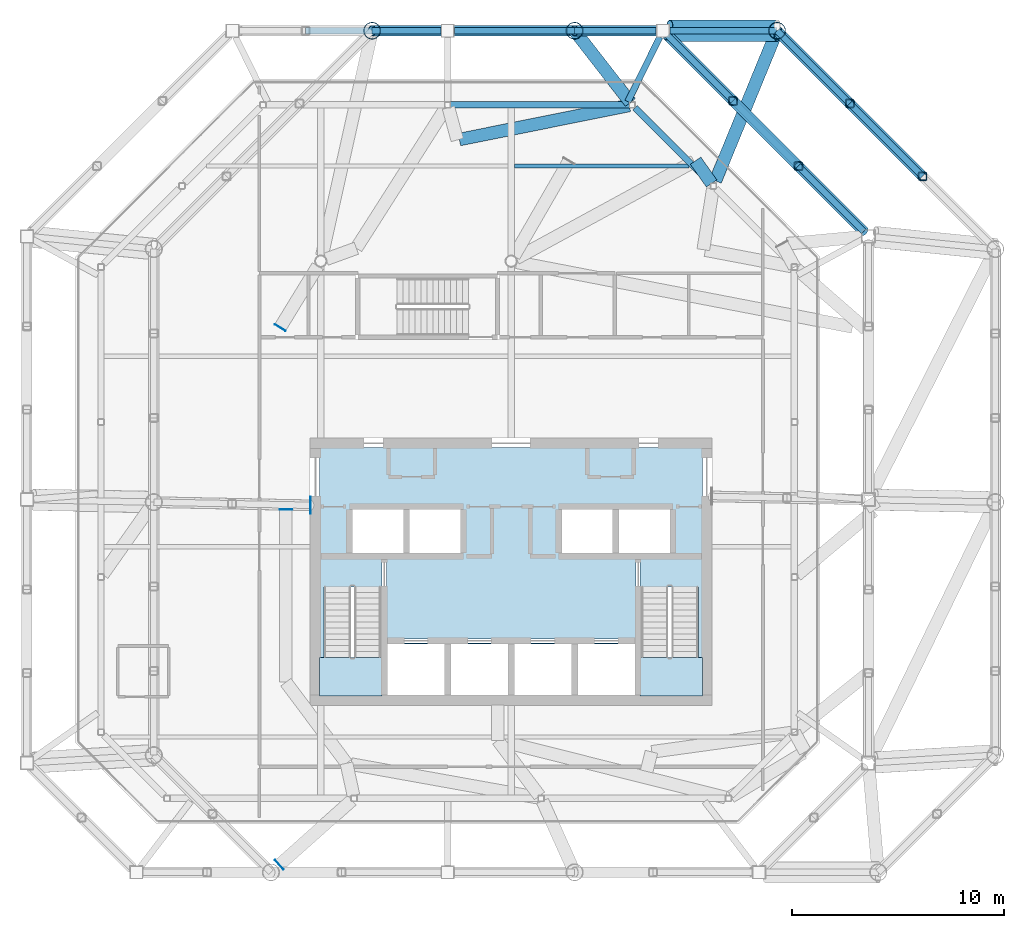
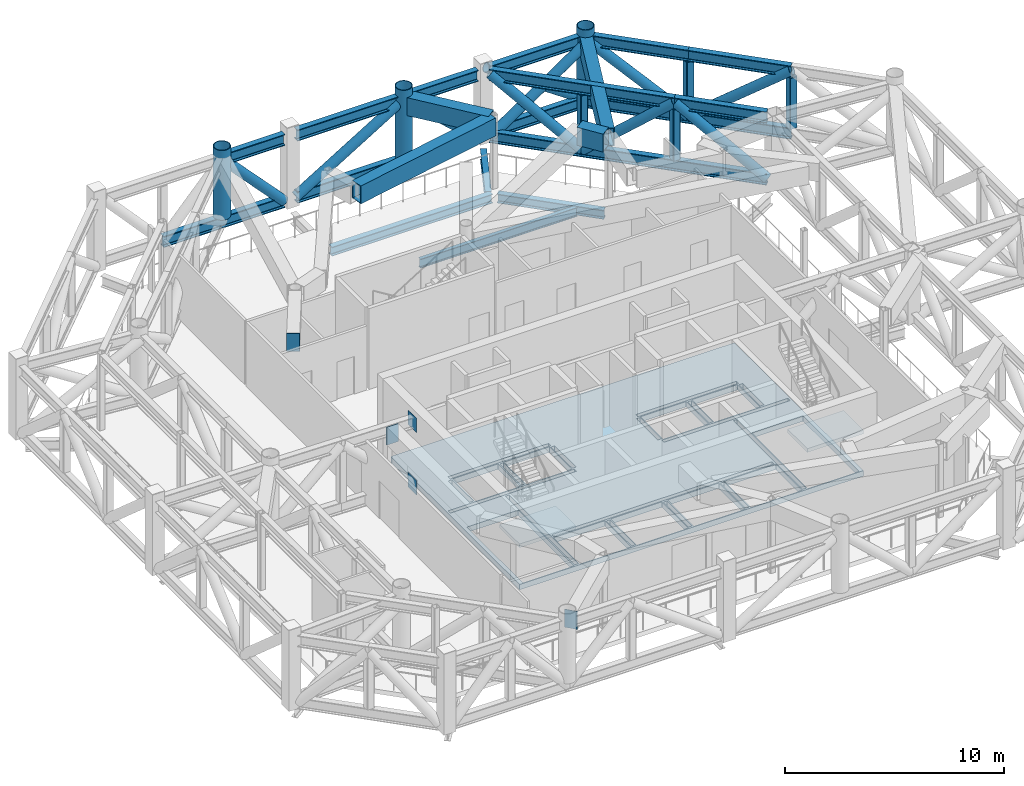
# One storey, part 6 of 14: 23 beams, 17 members, 5 plates, 3 slabs, 2 elements without a shape of their own.
"""IFC4 building model written with IfcOpenShell, lengths in metres."""

from ifc_helpers import new_model, si_unit, direction, frame, origin, origin_2d, place, context, subcontext, project, spatial, polyline, rectangle, hollow_rectangle, hollow_circle, i_section, outline, extrude, material, layer, layer_set, material_profile, profile_set, type_object, element, aggregate, save


model = new_model("IFC4")

# Units and contexts
model_context = context("Model", 3, precision=1e-05, world=origin(), true_north=direction((0.0, 1.0)))
body_context = subcontext(model_context, "Body", "Model", "MODEL_VIEW")
ifc_project = project(units=[si_unit("LENGTHUNIT", "METRE"), si_unit("AREAUNIT", "SQUARE_METRE"), si_unit("VOLUMEUNIT", "CUBIC_METRE"), si_unit("PLANEANGLEUNIT", "RADIAN"), si_unit("MASSUNIT", "GRAM", prefix="KILO")], contexts=[model_context])

# Site, building, storey
site_placement = place(None, origin())
site = spatial("IfcSite", under=ifc_project, at=site_placement, CompositionType="ELEMENT")
building_placement = place(site_placement, origin())
building = spatial("IfcBuilding", under=site, at=building_placement, Name="Tskaro Facet Tower", CompositionType="ELEMENT")
storey_placement = place(building_placement, frame((0.0, 0.0, 255.0)))
storey = spatial("IfcBuildingStorey", under=building, at=storey_placement, Name="L67", CompositionType="ELEMENT", Elevation=255.0)

# Beams
ifc_material_1 = material(Name="Steel S355J2", Category="steel")
ifc_material_profile_1 = material_profile(ifc_material_1, hollow_rectangle(XDim=0.60009765625, YDim=1.0, WallThickness=0.0400390625, at=origin_2d()), Name="BOX 600x1000x40")
ifc_profile_set_1 = profile_set([ifc_material_profile_1], Name="Steel S355J2")
beam_type_1 = type_object("IfcBeamType", Name="BOX 600x1000x40 transfer girder", PredefinedType="BEAM", material=ifc_profile_set_1)
beam_1_placement = place(storey_placement, frame((8.719482421875, 13.750244140625, 3.580078125), z_axis=(0.575351108797, -0.817906535984, 0.0), x_axis=(0.817906535984, 0.575351108797, 0.0)))
element("IfcBeam", 1, at=beam_1_placement, inside=storey, type_object=beam_type_1, Name="BOX 600x1000x40 TG6-7", PredefinedType="BEAM", context=body_context, shape_type="SweptSolid", body=[
    extrude(hollow_rectangle(XDim=0.60009765625, YDim=1.0, WallThickness=0.0400390625, at=origin_2d()), origin(), (0.0, 0.0, 1.0), 1.317626953125),
])
beam_2_placement = place(storey_placement, frame((-2.449462890625, 14.750244140625, 3.580078125), z_axis=(0.980442976706, 0.196803377584, 0.0), x_axis=(-0.196803377584, 0.980442976706, 0.0)))
element("IfcBeam", 2, at=beam_2_placement, inside=storey, type_object=beam_type_1, Name="BOX 600x1000x40 TG6-12", PredefinedType="BEAM", context=body_context, shape_type="SweptSolid", body=[
    extrude(hollow_rectangle(XDim=0.60009765625, YDim=1.0, WallThickness=0.0400390625, at=origin_2d()), origin(), (0.0, 0.0, 1.0), 8.197509765625),
])
beam_3_placement = place(storey_placement, frame((3.0, 19.89306640625, 3.580078125), z_axis=(0.614086130442, -0.789239016014, 0.0), x_axis=(0.789239016014, 0.614086130442, 0.0)))
element("IfcBeam", 3, at=beam_3_placement, inside=storey, type_object=beam_type_1, Name="BOX 600x1000x40 TG6-24", PredefinedType="BEAM", context=body_context, shape_type="SweptSolid", body=[
    extrude(hollow_rectangle(XDim=0.60009765625, YDim=1.0, WallThickness=0.0400390625, at=origin_2d()), origin(), (0.0, 0.0, 1.0), 4.29736328125),
])
beam_4_placement = place(storey_placement, frame((12.572021484375, 19.89306640625, 3.580078125), z_axis=(-0.380083721997, -0.924952087555, 0.0), x_axis=(0.924952087555, -0.380083721997, 0.0)))
element("IfcBeam", 4, at=beam_4_placement, inside=storey, type_object=beam_type_1, Name="BOX 600x1000x40 TG6-33", PredefinedType="BEAM", context=body_context, shape_type="SweptSolid", body=[
    extrude(hollow_rectangle(XDim=0.60009765625, YDim=1.0, WallThickness=0.0400390625, at=origin_2d()), origin(), (0.0, 0.0, 1.0), 7.670166015625),
])

# Members
ifc_material_2 = material(Name="Steel S355J2H", Category="steel")
ifc_material_profile_2 = material_profile(ifc_material_2, hollow_circle(Radius=0.25390625, WallThickness=0.02490234375, at=origin_2d()), Name="CHS 508x25")
ifc_profile_set_2 = profile_set([ifc_material_profile_2], Name="Steel S355J2H")
member_type_1 = type_object("IfcMemberType", Name="CHS 508x25 belt diagonal", PredefinedType="BRACE", material=ifc_profile_set_2)
for number, where, z_axis, x_axis, name in (
    (5, (16.6630859375, 10.40576171875, 0.31005859375), (-0.554065320265, 0.554109158015, 0.621268590775), (-0.707134752736, -0.707078808531, 0.0), "CHS 508x25 BD5-061"),
    (6, (13.577392578125, 13.49169921875, 3.77001953125), (-0.554078778968, 0.554078778968, -0.6212836819), (-0.707106781187, -0.707106781187, 0.0), "CHS 508x25 BD5-062"),
    (7, (10.49169921875, 16.577392578125, 0.31005859375), (-0.554109158015, 0.554065320265, 0.621268590775), (-0.707078808531, -0.707134752736, 0.0), "CHS 508x25 BD5-063"),
):
    element("IfcMember", number, at=place(storey_placement, frame(where, z_axis=z_axis, x_axis=x_axis)), inside=storey, type_object=member_type_1, Name=name, PredefinedType="BRACE", context=body_context, shape_type="SweptSolid", body=[
        extrude(hollow_circle(Radius=0.25390625, WallThickness=0.02490234375, at=origin_2d()), origin(), (0.0, 0.0, 1.0), 5.569091796875),
    ])
member_1_placement = place(storey_placement, frame((6.85107421875, 19.89306640625, 0.31005859375), z_axis=(-0.743870708977, 0.0, 0.668323550629), x_axis=(0.0, -1.0, 0.0)))
element("IfcMember", 8, at=member_1_placement, inside=storey, type_object=member_type_1, Name="CHS 508x25 BD5-071", PredefinedType="BRACE", context=body_context, shape_type="SweptSolid", body=[
    extrude(hollow_circle(Radius=0.25390625, WallThickness=0.02490234375, at=origin_2d()), origin(), (0.0, 0.0, 1.0), 5.177001953125),
])
member_2_placement = place(storey_placement, frame((3.0, 19.89306640625, 3.77001953125), z_axis=(-0.853825244327, 0.0, -0.520559748875), x_axis=(0.0, -1.0, 0.0)))
element("IfcMember", 9, at=member_2_placement, inside=storey, type_object=member_type_1, Name="CHS 508x25 BD5-072", PredefinedType="BRACE", context=body_context, shape_type="SweptSolid", body=[
    extrude(hollow_circle(Radius=0.25390625, WallThickness=0.02490234375, at=origin_2d()), origin(), (0.0, 0.0, 1.0), 6.646728515625),
])
member_3_placement = place(storey_placement, frame((-3.324951171875, 19.89306640625, 0.31005859375), z_axis=(-0.684317571299, 0.0, 0.729184106801), x_axis=(0.0, -1.0, 0.0)))
element("IfcMember", 10, at=member_3_placement, inside=storey, type_object=member_type_1, Name="CHS 508x25 BD5-081", PredefinedType="BRACE", context=body_context, shape_type="SweptSolid", body=[
    extrude(hollow_circle(Radius=0.25390625, WallThickness=0.02490234375, at=origin_2d()), origin(), (0.0, 0.0, 1.0), 4.744873046875),
])
member_4_placement = place(storey_placement, frame((19.45263671875, 13.012451171875, 3.77001953125), z_axis=(-0.57624400681, 0.57624400681, -0.579556459053), x_axis=(-0.707106781187, -0.707106781187, 0.0)))
element("IfcMember", 11, at=member_4_placement, inside=storey, type_object=member_type_1, Name="CHS 508x25 TB5-06-D2", PredefinedType="BRACE", context=body_context, shape_type="SweptSolid", body=[
    extrude(hollow_circle(Radius=0.25390625, WallThickness=0.02490234375, at=origin_2d()), origin(), (0.0, 0.0, 1.0), 5.969970703125),
])
member_5_placement = place(storey_placement, frame((16.012451171875, 16.45263671875, 0.31005859375), z_axis=(-0.576257741707, 0.576257741707, 0.579529145294), x_axis=(-0.707106781187, -0.707106781187, 0.0)))
element("IfcMember", 12, at=member_5_placement, inside=storey, type_object=member_type_1, Name="CHS 508x25 TB5-06-D3", PredefinedType="BRACE", context=body_context, shape_type="SweptSolid", body=[
    extrude(hollow_circle(Radius=0.25390625, WallThickness=0.02490234375, at=origin_2d()), origin(), (0.0, 0.0, 1.0), 5.97021484375),
])
for number, where, z_axis, x_axis, name in (
    (13, (7.5009765625, 19.638916015625, 0.31005859375), (0.826043037192, 0.0, 0.563607044586), (0.0, 1.0, 0.0), "CHS 508x25 TL5-07A-D1"),
    (14, (7.5009765625, 20.14697265625, 3.77001953125), (0.826043037192, 0.0, -0.563607044586), (0.0, 1.0, 0.0), "CHS 508x25 TL5-07A-D2"),
):
    element("IfcMember", number, at=place(storey_placement, frame(where, z_axis=z_axis, x_axis=x_axis)), inside=storey, type_object=member_type_1, Name=name, PredefinedType="BRACE", context=body_context, shape_type="SweptSolid", body=[
        extrude(hollow_circle(Radius=0.25390625, WallThickness=0.02490234375, at=origin_2d()), origin(), (0.0, 0.0, 1.0), 6.138916015625),
    ])
ifc_material_profile_3 = material_profile(ifc_material_2, hollow_circle(Radius=0.406494140625, WallThickness=0.035888671875, at=origin_2d()), Name="CHS 812.8x36")
ifc_profile_set_3 = profile_set([ifc_material_profile_3], Name="Steel S355J2H")
member_type_2 = type_object("IfcMemberType", Name="CHS 812.8x36 transfer node post", PredefinedType="POST", material=ifc_profile_set_3)
for number, where, z_axis, x_axis, name in (
    (15, (12.572021484375, 19.89306640625, 0.6201171875), (0.0, 0.0, 1.0), (1.0, 0.0, 0.0), "CHS 812.8x36 TN5-07"),
    (16, (3.0, 19.89306640625, 0.6201171875), (0.0, 0.0, 1.0), (1.0, 0.0, 0.0), "CHS 812.8x36 TN5-08"),
    (17, (-6.572021484375, 19.89306640625, 0.6201171875), (0.0, 0.0, 1.0), (1.0, 0.0, 0.0), "CHS 812.8x36 TN5-09"),
):
    element("IfcMember", number, at=place(storey_placement, frame(where, z_axis=z_axis, x_axis=x_axis)), inside=storey, type_object=member_type_2, Name=name, PredefinedType="POST", context=body_context, shape_type="SweptSolid", body=[
        extrude(hollow_circle(Radius=0.406494140625, WallThickness=0.035888671875, at=origin_2d()), origin(), (0.0, 0.0, 1.0), 3.8798828125),
    ])

# Beams
ifc_material_profile_4 = material_profile(ifc_material_1, i_section(OverallWidth=0.300048828125, OverallDepth=0.5, WebThickness=0.014404296875, FlangeThickness=0.028076171875, FilletRadius=0.027099609375, at=origin_2d()), Name="HE 500 B")
ifc_profile_set_4 = profile_set([ifc_material_profile_4], Name="Steel S355J2")
beam_type_2 = type_object("IfcBeamType", Name="HE 500 B ring beam", PredefinedType="BEAM", material=ifc_profile_set_4)
beam_5_placement = place(storey_placement, frame((9.422119140625, 12.69384765625, -0.5), z_axis=(-0.707106781187, 0.707106781187, 0.0), x_axis=(-0.707106781187, -0.707106781187, 0.0)))
element("IfcBeam", 18, at=beam_5_placement, inside=storey, type_object=beam_type_2, Name="HE 500 B EB9-5", PredefinedType="BEAM", context=body_context, shape_type="SweptSolid", body=[
    extrude(i_section(OverallWidth=0.300048828125, OverallDepth=0.5, WebThickness=0.014404296875, FlangeThickness=0.028076171875, FilletRadius=0.027099609375, at=origin_2d()), origin(), (0.0, 0.0, 1.0), 5.036376953125),
])
beam_6_placement = place(storey_placement, frame((5.594970703125, 16.39111328125, -0.5), z_axis=(-1.0, 0.0, 0.0), x_axis=(0.0, -1.0, 0.0)))
element("IfcBeam", 19, at=beam_6_placement, inside=storey, type_object=beam_type_2, Name="HE 500 B EB10-5", PredefinedType="BEAM", context=body_context, shape_type="SweptSolid", body=[
    extrude(i_section(OverallWidth=0.300048828125, OverallDepth=0.5, WebThickness=0.014404296875, FlangeThickness=0.028076171875, FilletRadius=0.027099609375, at=origin_2d()), origin(), (0.0, 0.0, 1.0), 8.465087890625),
])
ifc_material_profile_5 = material_profile(ifc_material_1, i_section(OverallWidth=0.300048828125, OverallDepth=0.60009765625, WebThickness=0.015380859375, FlangeThickness=0.030029296875, FilletRadius=0.027099609375, at=origin_2d()), Name="HE 600 B")
ifc_profile_set_5 = profile_set([ifc_material_profile_5], Name="Steel S355J2")
beam_type_3 = type_object("IfcBeamType", Name="HE 600 B floor strut", PredefinedType="BEAM", material=ifc_profile_set_5)
beam_7_placement = place(storey_placement, frame((7.03173828125, 19.601806640625, -0.550048828125), z_axis=(-0.443635775775, -0.896207173846, 0.0), x_axis=(0.896207173846, -0.443635775775, 0.0)))
element("IfcBeam", 20, at=beam_7_placement, inside=storey, type_object=beam_type_3, Name="HE 600 B ES5-07", PredefinedType="BEAM", context=body_context, shape_type="SweptSolid", body=[
    extrude(i_section(OverallWidth=0.300048828125, OverallDepth=0.60009765625, WebThickness=0.015380859375, FlangeThickness=0.030029296875, FilletRadius=0.027099609375, at=origin_2d()), origin(), (0.0, 0.0, 1.0), 3.415283203125),
])
ifc_material_profile_6 = material_profile(ifc_material_1, i_section(OverallWidth=0.304931640625, OverallDepth=0.6201171875, WebThickness=0.02099609375, FlangeThickness=0.0400390625, FilletRadius=0.027099609375, at=origin_2d()), Name="HE 600 M")
ifc_profile_set_6 = profile_set([ifc_material_profile_6], Name="Steel S355J2")
beam_type_4 = type_object("IfcBeamType", Name="HE 600 M belt chord", PredefinedType="BEAM", material=ifc_profile_set_6)
beam_8_placement = place(storey_placement, frame((16.6630859375, 10.40576171875, 3.77001953125), z_axis=(-0.707078808531, 0.707134752736, 0.0), x_axis=(-0.707134752736, -0.707078808531, 0.0)))
element("IfcBeam", 21, at=beam_8_placement, inside=storey, type_object=beam_type_4, Name="HE 600 M BT5-06T1", PredefinedType="BEAM", context=body_context, shape_type="SweptSolid", body=[
    extrude(i_section(OverallWidth=0.304931640625, OverallDepth=0.6201171875, WebThickness=0.02099609375, FlangeThickness=0.0400390625, FilletRadius=0.027099609375, at=origin_2d()), origin(), (0.0, 0.0, 1.0), 4.364013671875),
])
for number, where, z_axis, x_axis, name in (
    (22, (13.577392578125, 13.49169921875, 3.77001953125), (-0.707120767376, 0.70709279472, 0.0), (-0.70709279472, -0.707120767376, 0.0), "HE 600 M BT5-06T2"),
    (23, (16.6630859375, 10.40576171875, 0.31005859375), (-0.70709279472, 0.707120767376, 0.0), (-0.707120767376, -0.70709279472, 0.0), "HE 600 M BT5-06B1"),
):
    element("IfcBeam", number, at=place(storey_placement, frame(where, z_axis=z_axis, x_axis=x_axis)), inside=storey, type_object=beam_type_4, Name=name, PredefinedType="BEAM", context=body_context, shape_type="SweptSolid", body=[
        extrude(i_section(OverallWidth=0.304931640625, OverallDepth=0.6201171875, WebThickness=0.02099609375, FlangeThickness=0.0400390625, FilletRadius=0.027099609375, at=origin_2d()), origin(), (0.0, 0.0, 1.0), 8.727783203125),
    ])
beam_9_placement = place(storey_placement, frame((10.49169921875, 16.577392578125, 0.31005859375), z_axis=(-0.707134752736, 0.707078808531, 0.0), x_axis=(-0.707078808531, -0.707134752736, 0.0)))
element("IfcBeam", 24, at=beam_9_placement, inside=storey, type_object=beam_type_4, Name="HE 600 M BT5-06B2", PredefinedType="BEAM", context=body_context, shape_type="SweptSolid", body=[
    extrude(i_section(OverallWidth=0.304931640625, OverallDepth=0.6201171875, WebThickness=0.02099609375, FlangeThickness=0.0400390625, FilletRadius=0.027099609375, at=origin_2d()), origin(), (0.0, 0.0, 1.0), 4.364013671875),
])
beam_10_placement = place(storey_placement, frame((6.85107421875, 19.89306640625, 3.77001953125), z_axis=(-1.0, 0.0, 0.0), x_axis=(0.0, -1.0, 0.0)))
element("IfcBeam", 25, at=beam_10_placement, inside=storey, type_object=beam_type_4, Name="HE 600 M BT5-07T1", PredefinedType="BEAM", context=body_context, shape_type="SweptSolid", body=[
    extrude(i_section(OverallWidth=0.304931640625, OverallDepth=0.6201171875, WebThickness=0.02099609375, FlangeThickness=0.0400390625, FilletRadius=0.027099609375, at=origin_2d()), origin(), (0.0, 0.0, 1.0), 3.85107421875),
])
beam_11_placement = place(storey_placement, frame((3.0, 19.89306640625, 3.77001953125), z_axis=(-1.0, 0.0, 0.0), x_axis=(0.0, -1.0, 0.0)))
element("IfcBeam", 26, at=beam_11_placement, inside=storey, type_object=beam_type_4, Name="HE 600 M BT5-07T2", PredefinedType="BEAM", context=body_context, shape_type="SweptSolid", body=[
    extrude(i_section(OverallWidth=0.304931640625, OverallDepth=0.6201171875, WebThickness=0.02099609375, FlangeThickness=0.0400390625, FilletRadius=0.027099609375, at=origin_2d()), origin(), (0.0, 0.0, 1.0), 5.675048828125),
])
beam_12_placement = place(storey_placement, frame((6.85107421875, 19.89306640625, 0.31005859375), z_axis=(-1.0, 0.0, 0.0), x_axis=(0.0, -1.0, 0.0)))
element("IfcBeam", 27, at=beam_12_placement, inside=storey, type_object=beam_type_4, Name="HE 600 M BT5-07B1", PredefinedType="BEAM", context=body_context, shape_type="SweptSolid", body=[
    extrude(i_section(OverallWidth=0.304931640625, OverallDepth=0.6201171875, WebThickness=0.02099609375, FlangeThickness=0.0400390625, FilletRadius=0.027099609375, at=origin_2d()), origin(), (0.0, 0.0, 1.0), 9.526123046875),
])
beam_13_placement = place(storey_placement, frame((-3.324951171875, 19.89306640625, 3.77001953125), z_axis=(-1.0, 0.0, 0.0), x_axis=(0.0, -1.0, 0.0)))
element("IfcBeam", 28, at=beam_13_placement, inside=storey, type_object=beam_type_4, Name="HE 600 M BT5-08T1", PredefinedType="BEAM", context=body_context, shape_type="SweptSolid", body=[
    extrude(i_section(OverallWidth=0.304931640625, OverallDepth=0.6201171875, WebThickness=0.02099609375, FlangeThickness=0.0400390625, FilletRadius=0.027099609375, at=origin_2d()), origin(), (0.0, 0.0, 1.0), 3.2470703125),
])
beam_14_placement = place(storey_placement, frame((-3.324951171875, 19.89306640625, 0.31005859375), z_axis=(-1.0, 0.0, 0.0), x_axis=(0.0, -1.0, 0.0)))
element("IfcBeam", 29, at=beam_14_placement, inside=storey, type_object=beam_type_4, Name="HE 600 M BT5-08B1", PredefinedType="BEAM", context=body_context, shape_type="SweptSolid", body=[
    extrude(i_section(OverallWidth=0.304931640625, OverallDepth=0.6201171875, WebThickness=0.02099609375, FlangeThickness=0.0400390625, FilletRadius=0.027099609375, at=origin_2d()), origin(), (0.0, 0.0, 1.0), 6.386474609375),
])
for number, where, z_axis, x_axis, name in (
    (30, (19.45263671875, 13.012451171875, 3.77001953125), (-0.707106781187, 0.707106781187, 0.0), (-0.707106781187, -0.707106781187, 0.0), "HE 600 M TB5-06-T2"),
    (31, (19.45263671875, 13.012451171875, 0.31005859375), (-0.707106781187, 0.707106781187, 0.0), (-0.707106781187, -0.707106781187, 0.0), "HE 600 M TB5-06-B2"),
):
    element("IfcBeam", number, at=place(storey_placement, frame(where, z_axis=z_axis, x_axis=x_axis)), inside=storey, type_object=beam_type_4, Name=name, PredefinedType="BEAM", context=body_context, shape_type="SweptSolid", body=[
        extrude(i_section(OverallWidth=0.304931640625, OverallDepth=0.6201171875, WebThickness=0.02099609375, FlangeThickness=0.0400390625, FilletRadius=0.027099609375, at=origin_2d()), origin(), (0.0, 0.0, 1.0), 4.865234375),
    ])
for number, where, z_axis, x_axis, name in (
    (32, (16.012451171875, 16.45263671875, 3.77001953125), (-0.707106781187, 0.707106781187, 0.0), (-0.707106781187, -0.707106781187, 0.0), "HE 600 M TB5-06-T3"),
    (33, (16.012451171875, 16.45263671875, 0.31005859375), (-0.707106781187, 0.707106781187, 0.0), (-0.707106781187, -0.707106781187, 0.0), "HE 600 M TB5-06-B3"),
):
    element("IfcBeam", number, at=place(storey_placement, frame(where, z_axis=z_axis, x_axis=x_axis)), inside=storey, type_object=beam_type_4, Name=name, PredefinedType="BEAM", context=body_context, shape_type="SweptSolid", body=[
        extrude(i_section(OverallWidth=0.304931640625, OverallDepth=0.6201171875, WebThickness=0.02099609375, FlangeThickness=0.0400390625, FilletRadius=0.027099609375, at=origin_2d()), origin(), (0.0, 0.0, 1.0), 4.865478515625),
    ])
for number, where, z_axis, x_axis, name in (
    (34, (7.5009765625, 19.89306640625, 3.77001953125), (1.0, 0.0, 0.0), (0.0, 1.0, 0.0), "HE 600 M TL5-07A-T1"),
    (35, (7.5009765625, 19.89306640625, 0.31005859375), (1.0, 0.0, 0.0), (0.0, 1.0, 0.0), "HE 600 M TL5-07A-B1"),
):
    element("IfcBeam", number, at=place(storey_placement, frame(where, z_axis=z_axis, x_axis=x_axis)), inside=storey, type_object=beam_type_4, Name=name, PredefinedType="BEAM", context=body_context, shape_type="SweptSolid", body=[
        extrude(i_section(OverallWidth=0.304931640625, OverallDepth=0.6201171875, WebThickness=0.02099609375, FlangeThickness=0.0400390625, FilletRadius=0.027099609375, at=origin_2d()), origin(), (0.0, 0.0, 1.0), 5.071044921875),
    ])
ifc_material_profile_7 = material_profile(ifc_material_1, i_section(OverallWidth=0.199951171875, OverallDepth=0.5, WebThickness=0.01025390625, FlangeThickness=0.01611328125, FilletRadius=0.02099609375, at=origin_2d()), Name="IPE 500")
ifc_profile_set_7 = profile_set([ifc_material_profile_7], Name="Steel S355J2")
beam_type_5 = type_object("IfcBeamType", Name="IPE 500 secondary beam", PredefinedType="BEAM", material=ifc_profile_set_7)
beam_15_placement = place(storey_placement, frame((0.14990234375, 13.5, -0.5), z_axis=(1.0, 0.0, 0.0), x_axis=(0.0, 1.0, 0.0)))
element("IfcBeam", 36, at=beam_15_placement, inside=storey, type_object=beam_type_5, Name="IPE 500 SB5a-3-5", PredefinedType="BEAM", context=body_context, shape_type="SweptSolid", body=[
    extrude(i_section(OverallWidth=0.199951171875, OverallDepth=0.5, WebThickness=0.01025390625, FlangeThickness=0.01611328125, FilletRadius=0.02099609375, at=origin_2d()), origin(), (0.0, 0.0, 1.0), 8.254150390625),
])

# Members
ifc_material_profile_8 = material_profile(ifc_material_2, hollow_rectangle(XDim=0.39990234375, YDim=0.39990234375, WallThickness=0.02490234375, InnerFilletRadius=0.03759765625, OuterFilletRadius=0.0625, at=origin_2d()), Name="SHS 400x400x25")
ifc_profile_set_8 = profile_set([ifc_material_profile_8], Name="Steel S355J2H")
member_type_3 = type_object("IfcMemberType", Name="SHS 400x400x25 belt post", PredefinedType="POST", material=ifc_profile_set_8)
for number, where, z_axis, x_axis, name in (
    (37, (13.577392578125, 13.49169921875, 0.6201171875), (0.0, 0.0, 1.0), (1.0, 0.0, 0.0), "SHS 400x400x25 BP5-061"),
    (38, (10.49169921875, 16.577392578125, 0.6201171875), (0.0, 0.0, 1.0), (1.0, 0.0, 0.0), "SHS 400x400x25 BP5-062"),
    (39, (19.45263671875, 13.012451171875, 0.6201171875), (0.0, 0.0, 1.0), (1.0, 0.0, 0.0), "SHS 400x400x25 TB5-06-P1"),
    (40, (16.012451171875, 16.45263671875, 0.6201171875), (0.0, 0.0, 1.0), (1.0, 0.0, 0.0), "SHS 400x400x25 TB5-06-P2"),
):
    element("IfcMember", number, at=place(storey_placement, frame(where, z_axis=z_axis, x_axis=x_axis)), inside=storey, type_object=member_type_3, Name=name, PredefinedType="POST", context=body_context, shape_type="SweptSolid", body=[
        extrude(hollow_rectangle(XDim=0.39990234375, YDim=0.39990234375, WallThickness=0.02490234375, InnerFilletRadius=0.03759765625, OuterFilletRadius=0.0625, at=origin_2d()), origin(), (0.0, 0.0, 1.0), 2.83984375),
    ])

# Plates
ifc_material_profile_9 = material_profile(ifc_material_1, rectangle(XDim=0.60009765625, YDim=1.0, at=origin_2d()), Name="PL 600x1000x30 end plate")
ifc_profile_set_9 = profile_set([ifc_material_profile_9], Name="Steel S355J2")
plate_type_1 = type_object("IfcPlateType", Name="PL 600x1000x30 end plate", PredefinedType="SHEET", material=ifc_profile_set_9)
for number, where, z_axis, x_axis, name in (
    (41, (-10.9130859375, 5.872314453125, 3.580078125), (-0.520462828118, -0.853884327381, 0.0), (0.853884327381, -0.520462828118, 0.0), "End plate CP8-51"),
    (42, (-10.9443359375, -19.527099609375, 3.580078125), (-0.746513271676, -0.665370524754, 0.0), (0.665370524754, -0.746513271676, 0.0), "End plate CP8-52"),
    (43, (-10.64990234375, -2.75, 3.580078125), (0.0, 1.0, 0.0), (-1.0, 0.0, 0.0), "End plate CP8-53"),
):
    element("IfcPlate", number, at=place(storey_placement, frame(where, z_axis=z_axis, x_axis=x_axis)), inside=storey, type_object=plate_type_1, Name=name, PredefinedType="SHEET", context=body_context, shape_type="SweptSolid", body=[
        extrude(rectangle(XDim=0.60009765625, YDim=1.0, at=origin_2d()), origin(), (0.0, 0.0, 1.0), 0.030029296875),
    ])
ifc_material_profile_10 = material_profile(ifc_material_1, rectangle(XDim=0.800048828125, YDim=0.800048828125, at=origin_2d()), Name="PL 800x800x30 cast-in plate")
ifc_profile_set_10 = profile_set([ifc_material_profile_10], Name="Steel S355J2")
plate_type_2 = type_object("IfcPlateType", Name="PL 800x800x30 cast-in plate", PredefinedType="SHEET", material=ifc_profile_set_10)
for number, where, z_axis, x_axis, name in (
    (44, (-9.469970703125, -2.541015625, 3.77001953125), (-1.0, 0.0, 0.0), (0.0, -1.0, 0.0), "Cast-in plate AP1-29"),
    (45, (-9.469970703125, -2.541015625, 0.31005859375), (-1.0, 0.0, 0.0), (0.0, -1.0, 0.0), "Cast-in plate AP1-30"),
):
    element("IfcPlate", number, at=place(storey_placement, frame(where, z_axis=z_axis, x_axis=x_axis)), inside=storey, type_object=plate_type_2, Name=name, PredefinedType="SHEET", context=body_context, shape_type="SweptSolid", body=[
        extrude(rectangle(XDim=0.800048828125, YDim=0.800048828125, at=origin_2d()), origin(), (0.0, 0.0, 1.0), 0.030029296875),
    ])

# Stair, slab
ifc_material_3 = material(Name="Concrete C40/50", Category="concrete")
stair_type = type_object("IfcStairType", Name="ST-TWR", PredefinedType="HALF_TURN_STAIR", material=ifc_material_3)
stair_1_placement = place(storey_placement, origin())
stair_1 = element("IfcStair", 46, at=stair_1_placement, inside=storey, type_object=stair_type, Name="L67 Exit stair 1", PredefinedType="HALF_TURN_STAIR")
ifc_layer_1 = layer(ifc_material_3, 0.199951171875, Name="Concrete C40/50")
ifc_layer_set_1 = layer_set([ifc_layer_1], Name="Concrete C40/50")
slab_type_1 = type_object("IfcSlabType", Name="SL-LANDING", PredefinedType="LANDING", material=ifc_layer_set_1)
slab_1_placement = place(storey_placement, frame((0.0, 0.0, 2.050048828125)))
slab_1 = element("IfcSlab", 47, at=slab_1_placement, type_object=slab_type_1, Name="ST-1 landing 1", PredefinedType="LANDING", context=body_context, shape_type="SweptSolid", body=[
    extrude(outline(polyline([(-9.050048828125, -11.550048828125), (-6.10009765625, -11.550048828125), (-6.10009765625, -9.735107421875), (-9.050048828125, -9.735107421875), (-9.050048828125, -11.550048828125)])), origin(), (0.0, 0.0, 1.0), 0.199951171875),
])
aggregate(stair_1, [slab_1])

stair_2_placement = place(storey_placement, origin())
stair_2 = element("IfcStair", 48, at=stair_2_placement, inside=storey, type_object=stair_type, Name="L67 Exit stair 2", PredefinedType="HALF_TURN_STAIR")
slab_2_placement = place(storey_placement, frame((0.0, 0.0, 2.050048828125)))
slab_2 = element("IfcSlab", 49, at=slab_2_placement, type_object=slab_type_1, Name="ST-2 landing 1", PredefinedType="LANDING", context=body_context, shape_type="SweptSolid", body=[
    extrude(outline(polyline([(6.10009765625, -11.550048828125), (9.050048828125, -11.550048828125), (9.050048828125, -9.735107421875), (6.10009765625, -9.735107421875), (6.10009765625, -11.550048828125)])), origin(), (0.0, 0.0, 1.0), 0.199951171875),
])
aggregate(stair_2, [slab_2])

# Slab
ifc_material_4 = material(Name="Concrete C60/75", Category="concrete")
ifc_layer_2 = layer(ifc_material_4, 0.300048828125, Name="Concrete C60/75")
ifc_layer_set_2 = layer_set([ifc_layer_2], Name="Concrete C60/75")
slab_type_2 = type_object("IfcSlabType", Name="SLAB-CORE", PredefinedType="FLOOR", material=ifc_layer_set_2)
slab_3_placement = place(storey_placement, frame((0.0, 0.0, -0.300048828125)))
element("IfcSlab", 50, at=slab_3_placement, inside=storey, type_object=slab_type_2, Name="Core floor slab 1", PredefinedType="FLOOR", context=body_context, shape_type="SweptSolid", body=[
    extrude(outline(polyline([(-9.050048828125, 0.199951171875), (9.050048828125, 0.199951171875), (9.050048828125, 0.10009765625), (9.050048828125, -11.449951171875), (9.050048828125, -11.550048828125), (-9.050048828125, -11.550048828125), (-9.050048828125, -11.449951171875), (-9.050048828125, 0.10009765625), (-9.050048828125, 0.199951171875)]), holes=[polyline([(-5.85009765625, -9.10009765625), (-5.85009765625, -11.5), (-3.14990234375, -11.5), (-3.14990234375, -9.10009765625), (-5.85009765625, -9.10009765625)]), polyline([(-3.10009765625, -11.449951171875), (-2.89990234375, -11.449951171875), (-2.89990234375, -9.14990234375), (-3.10009765625, -9.14990234375), (-3.10009765625, -11.449951171875)]), polyline([(-2.85009765625, -9.10009765625), (-2.85009765625, -11.5), (-0.14990234375, -11.5), (-0.14990234375, -9.10009765625), (-2.85009765625, -9.10009765625)]), polyline([(-6.10009765625, -11.449951171875), (-5.89990234375, -11.449951171875), (-5.89990234375, -5.14990234375), (-6.10009765625, -5.14990234375), (-6.10009765625, -11.449951171875)]), polyline([(-8.949951171875, -5.050048828125), (-2.300048828125, -5.050048828125), (-2.300048828125, -4.85009765625), (-8.949951171875, -4.85009765625), (-8.949951171875, -5.050048828125)]), polyline([(-7.75, -4.75), (-7.550048828125, -4.75), (-7.550048828125, -2.800048828125), (-7.75, -2.800048828125), (-7.75, -4.75)]), polyline([(-5.10009765625, -4.800048828125), (-5.10009765625, -2.75), (-7.5, -2.75), (-7.5, -4.800048828125), (-5.10009765625, -4.800048828125)]), polyline([(-5.050048828125, -4.75), (-4.85009765625, -4.75), (-4.85009765625, -2.800048828125), (-5.050048828125, -2.800048828125), (-5.050048828125, -4.75)]), polyline([(-2.39990234375, -4.800048828125), (-2.39990234375, -2.75), (-4.800048828125, -2.75), (-4.800048828125, -4.800048828125), (-2.39990234375, -4.800048828125)]), polyline([(-2.35009765625, -4.75), (-2.14990234375, -4.75), (-2.14990234375, -2.800048828125), (-2.35009765625, -2.800048828125), (-2.35009765625, -4.75)]), polyline([(-7.60009765625, -2.699951171875), (-2.300048828125, -2.699951171875), (-2.300048828125, -2.5), (-7.60009765625, -2.5), (-7.60009765625, -2.699951171875)]), polyline([(-0.10009765625, -11.449951171875), (0.10009765625, -11.449951171875), (0.10009765625, -9.14990234375), (-0.10009765625, -9.14990234375), (-0.10009765625, -11.449951171875)]), polyline([(0.14990234375, -9.10009765625), (0.14990234375, -11.5), (2.85009765625, -11.5), (2.85009765625, -9.10009765625), (0.14990234375, -9.10009765625)]), polyline([(2.89990234375, -11.449951171875), (3.10009765625, -11.449951171875), (3.10009765625, -9.14990234375), (2.89990234375, -9.14990234375), (2.89990234375, -11.449951171875)]), polyline([(3.14990234375, -9.10009765625), (3.14990234375, -11.5), (5.85009765625, -11.5), (5.85009765625, -9.10009765625), (3.14990234375, -9.10009765625)]), polyline([(-5.800048828125, -9.050048828125), (5.800048828125, -9.050048828125), (5.800048828125, -8.85009765625), (-5.800048828125, -8.85009765625), (-5.800048828125, -9.050048828125)]), polyline([(5.89990234375, -11.449951171875), (6.10009765625, -11.449951171875), (6.10009765625, -5.14990234375), (5.89990234375, -5.14990234375), (5.89990234375, -11.449951171875)]), polyline([(2.300048828125, -5.050048828125), (8.949951171875, -5.050048828125), (8.949951171875, -4.85009765625), (2.300048828125, -4.85009765625), (2.300048828125, -5.050048828125)]), polyline([(2.14990234375, -4.75), (2.35009765625, -4.75), (2.35009765625, -2.800048828125), (2.14990234375, -2.800048828125), (2.14990234375, -4.75)]), polyline([(2.39990234375, -2.75), (2.39990234375, -4.800048828125), (4.800048828125, -4.800048828125), (4.800048828125, -2.75), (2.39990234375, -2.75)]), polyline([(4.85009765625, -4.75), (5.050048828125, -4.75), (5.050048828125, -2.800048828125), (4.85009765625, -2.800048828125), (4.85009765625, -4.75)]), polyline([(7.5, -2.75), (5.10009765625, -2.75), (5.10009765625, -4.800048828125), (7.5, -4.800048828125), (7.5, -2.75)]), polyline([(7.550048828125, -4.75), (7.75, -4.75), (7.75, -2.800048828125), (7.550048828125, -2.800048828125), (7.550048828125, -4.75)]), polyline([(2.300048828125, -2.699951171875), (7.60009765625, -2.699951171875), (7.60009765625, -2.5), (2.300048828125, -2.5), (2.300048828125, -2.699951171875)]), polyline([(-8.85009765625, -11.5), (-6.14990234375, -11.5), (-6.14990234375, -6.39501953125), (-8.85009765625, -6.39501953125), (-8.85009765625, -11.5)]), polyline([(6.14990234375, -6.39501953125), (6.14990234375, -11.5), (8.85009765625, -11.5), (8.85009765625, -6.39501953125), (6.14990234375, -6.39501953125)])]), origin(), (0.0, 0.0, 1.0), 0.300048828125),
])

save(model, "model.ifc")
